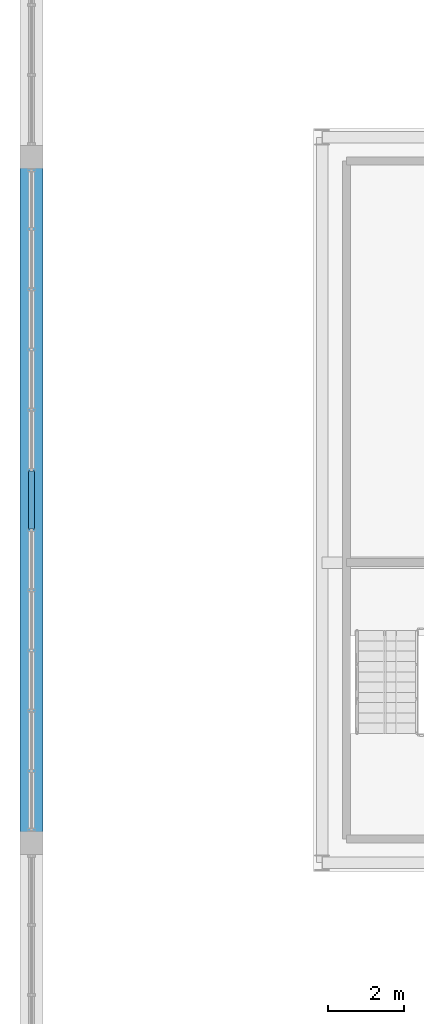
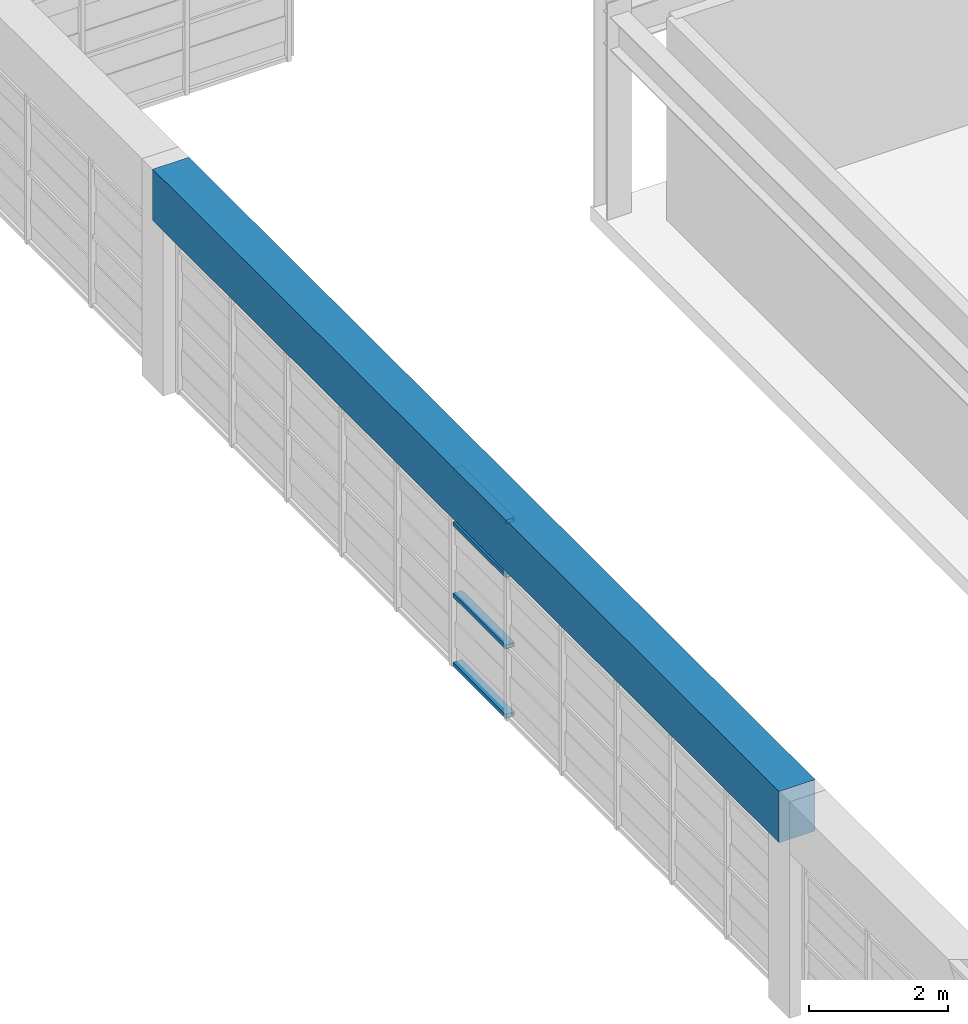
# One storey, part 9 of 27: 4 members, 1 beam, 1 element without a shape of its own.
"""IFC4 building model written with IfcOpenShell, lengths in metres."""

from ifc_helpers import new_model, si_unit, direction, frame, origin, origin_2d, place, context, subcontext, project, spatial, rectangle, hollow_rectangle, extrude, source, transform, mapped, material, layer, layer_set, material_profile, profile_set, type_object, element, aggregate, save


model = new_model("IFC4")

# Units and contexts
model_context = context("Model", 3, precision=1e-05, world=origin(), true_north=direction((0.0, 1.0)))
body_context = subcontext(model_context, "Body", "Model", "MODEL_VIEW")
ifc_project = project(units=[si_unit("LENGTHUNIT", "METRE"), si_unit("AREAUNIT", "SQUARE_METRE"), si_unit("VOLUMEUNIT", "CUBIC_METRE"), si_unit("PLANEANGLEUNIT", "RADIAN"), si_unit("MASSUNIT", "GRAM", prefix="KILO")], contexts=[model_context])

# Site, building, storey
site_placement = place(None, origin())
site = spatial("IfcSite", under=ifc_project, at=site_placement, CompositionType="ELEMENT")
building_placement = place(site_placement, origin())
building = spatial("IfcBuilding", under=site, at=building_placement, Name="Saelheon Loggia Tower", CompositionType="ELEMENT")
storey_placement = place(building_placement, frame((0.0, 0.0, 263.60009765625)))
storey = spatial("IfcBuildingStorey", under=building, at=storey_placement, Name="CR4", CompositionType="ELEMENT", Elevation=263.60009765625)

# Beam
ifc_material_1 = material(Name="Precast Concrete C45/55", Category="concrete")
ifc_material_profile_1 = material_profile(ifc_material_1, rectangle(XDim=0.60009765625, YDim=0.89990234375, at=origin_2d()), Name="RC-600x900")
ifc_profile_set_1 = profile_set([ifc_material_profile_1], Name="Precast Concrete C45/55")
beam_type = type_object("IfcBeamType", Name="CrownFrame_Ring_RC600x900", PredefinedType="BEAM", material=ifc_profile_set_1)
shared_shape_1 = source(origin(), body_context, "Body", "SweptSolid", [
    extrude(rectangle(XDim=0.60009765625, YDim=0.89990234375, at=origin_2d()), origin(), (0.0, 0.0, 1.0), 18.0),
])
beam_placement = place(storey_placement, frame((23.35009765625, 36.0, 3.349853515625), z_axis=(0.0, -1.0, 0.0), x_axis=(1.0, 0.0, 0.0)))
element("IfcBeam", 1, at=beam_placement, inside=storey, type_object=beam_type, Name="CR4 CROWN FRAME Ring Beam 14", PredefinedType="BEAM", context=body_context, shape_type="MappedRepresentation", body=[
    mapped(shared_shape_1, transform((0.0, 0.0, 0.0), scale=1.0)),
])

# Curtain wall, members
ifc_material_2 = material(Name="Bronze-Anodised Aluminium and Fritted Ceramic Screen", Category="aluminium")
ifc_layer = layer(ifc_material_2, 0.219970703125)
ifc_layer_set = layer_set([ifc_layer], Name="Bronze-Anodised Aluminium and Fritted Ceramic Screen")
curtain_wall_type = type_object("IfcCurtainWallType", Name="CW_CrownScreen", PredefinedType="NOTDEFINED", material=ifc_layer_set)
curtain_wall_placement = place(storey_placement, origin())
curtain_wall = element("IfcCurtainWall", 2, at=curtain_wall_placement, inside=storey, type_object=curtain_wall_type, Name="CR4 Crown Screen Curtain Wall 9-2", PredefinedType="NOTDEFINED")
ifc_material_3 = material(Name="Bronze-Anodised Aluminium 6063-T6", Category="aluminium")
ifc_material_profile_2 = material_profile(ifc_material_3, hollow_rectangle(XDim=0.070068359375, YDim=0.14990234375, WallThickness=0.0048828125, at=origin_2d()), Name="RHS-150x70x5")
ifc_profile_set_2 = profile_set([ifc_material_profile_2], Name="Bronze-Anodised Aluminium 6063-T6")
member_type = type_object("IfcMemberType", Name="CW_CrownScreen_Transom", PredefinedType="USERDEFINED", material=ifc_profile_set_2)
shared_shape_2 = source(origin(), body_context, "Body", "SweptSolid", [
    extrude(hollow_rectangle(XDim=0.070068359375, YDim=0.14990234375, WallThickness=0.0048828125, at=origin_2d()), origin(), (0.0, 0.0, 1.0), 1.509765625),
])
member_1_placement = place(storey_placement, frame((23.35009765625, 27.7548828125, 0.034912109375), z_axis=(0.0, -1.0, 0.0), x_axis=(0.0, 0.0, 1.0)))
member_1 = element("IfcMember", 3, at=member_1_placement, type_object=member_type, Name="CW6 transom 6.1", ObjectType="TRANSOM", PredefinedType="USERDEFINED", context=body_context, shape_type="MappedRepresentation", body=[
    mapped(shared_shape_2, transform((0.0, 0.0, 0.0), scale=1.0)),
])
member_2_placement = place(storey_placement, frame((23.35009765625, 27.7548828125, 1.25), z_axis=(0.0, -1.0, 0.0), x_axis=(0.0, 0.0, 1.0)))
member_2 = element("IfcMember", 4, at=member_2_placement, type_object=member_type, Name="CW6 transom 6.2", ObjectType="TRANSOM", PredefinedType="USERDEFINED", context=body_context, shape_type="MappedRepresentation", body=[
    mapped(shared_shape_2, transform((0.0, 0.0, 0.0), scale=1.0)),
])
member_3_placement = place(storey_placement, frame((23.35009765625, 27.7548828125, 2.5), z_axis=(0.0, -1.0, 0.0), x_axis=(0.0, 0.0, 1.0)))
member_3 = element("IfcMember", 5, at=member_3_placement, type_object=member_type, Name="CW6 transom 6.3", ObjectType="TRANSOM", PredefinedType="USERDEFINED", context=body_context, shape_type="MappedRepresentation", body=[
    mapped(shared_shape_2, transform((0.0, 0.0, 0.0), scale=1.0)),
])
member_4_placement = place(storey_placement, frame((23.35009765625, 27.7548828125, 3.44482421875), z_axis=(0.0, -1.0, 0.0), x_axis=(0.0, 0.0, 1.0)))
member_4 = element("IfcMember", 6, at=member_4_placement, type_object=member_type, Name="CW6 transom 6.4", ObjectType="TRANSOM", PredefinedType="USERDEFINED", context=body_context, shape_type="MappedRepresentation", body=[
    mapped(shared_shape_2, transform((0.0, 0.0, 0.0), scale=1.0)),
])
aggregate(curtain_wall, [member_1, member_2, member_3, member_4])

save(model, "model.ifc")
